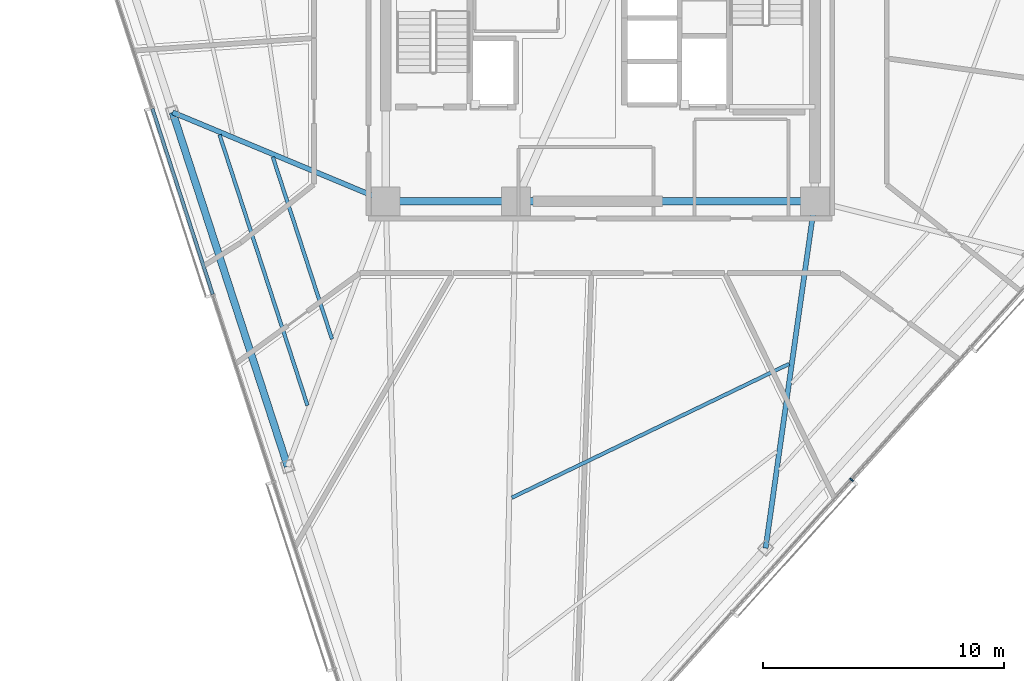
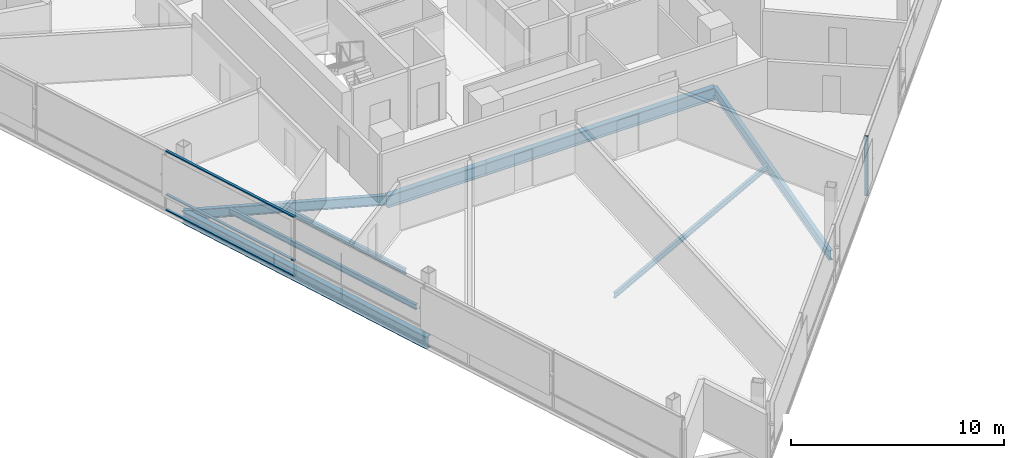
# One storey, part 3 of 17: 8 beams, 4 members, 2 elements without a shape of their own.
"""IFC4 building model written with IfcOpenShell, lengths in metres."""

from ifc_helpers import new_model, si_unit, direction, frame, origin, origin_2d, place, context, subcontext, project, spatial, rectangle, i_section, extrude, material, layer, layer_set, material_profile, profile_set, type_object, element, aggregate, save


model = new_model("IFC4")

# Units and contexts
model_context = context("Model", 3, precision=1e-05, world=origin(), true_north=direction((0.0, 1.0)))
body_context = subcontext(model_context, "Body", "Model", "MODEL_VIEW")
ifc_project = project(units=[si_unit("LENGTHUNIT", "METRE"), si_unit("AREAUNIT", "SQUARE_METRE"), si_unit("VOLUMEUNIT", "CUBIC_METRE"), si_unit("PLANEANGLEUNIT", "RADIAN"), si_unit("MASSUNIT", "GRAM", prefix="KILO")], contexts=[model_context])

# Site, building, storey
site_placement = place(None, origin())
site = spatial("IfcSite", under=ifc_project, at=site_placement, CompositionType="ELEMENT")
building_placement = place(site_placement, origin())
building = spatial("IfcBuilding", under=site, at=building_placement, Name="Tharavind Bronze Gate", CompositionType="ELEMENT")
storey_placement = place(building_placement, frame((0.0, 0.0, 214.85009765625)))
storey = spatial("IfcBuildingStorey", under=building, at=storey_placement, Name="L55", CompositionType="ELEMENT", Elevation=214.85009765625)

# Curtain wall, member
ifc_material_1 = material(Name="Anodised Bronze Aluminium", Category="aluminium")
ifc_layer = layer(ifc_material_1, 0.219970703125)
ifc_layer_set = layer_set([ifc_layer], Name="Anodised Bronze Aluminium")
curtain_wall_type = type_object("IfcCurtainWallType", Name="UNITISED CURTAIN WALL MID OFFICE", PredefinedType="USERDEFINED", material=ifc_layer_set)
curtain_wall_1_placement = place(storey_placement, origin())
curtain_wall_1 = element("IfcCurtainWall", 1, at=curtain_wall_1_placement, inside=storey, type_object=curtain_wall_type, Name="L55 unitised curtain wall mid office CW-L55-S2", ObjectType="UNITISED CURTAIN WALL", PredefinedType="USERDEFINED")
member_type_1 = type_object("IfcMemberType", Name="CURTAIN WALL BRONZE MULLION 65X180", PredefinedType="MULLION", material=ifc_material_1)
member_1_placement = place(storey_placement, frame((10.42138671875, -19.1552734375, 0.0), z_axis=(0.0, 0.0, 1.0), x_axis=(0.669130606359, 0.743144825477, 0.0)))
member_1 = element("IfcMember", 2, at=member_1_placement, type_object=member_type_1, Name="CW-L55-S2 mullion 4", PredefinedType="MULLION", context=body_context, shape_type="SweptSolid", body=[
    extrude(rectangle(XDim=0.06494140625, YDim=0.179931640625, at=origin_2d()), origin(), (0.0, 0.0, 1.0), 3.419921875),
])
aggregate(curtain_wall_1, [member_1])

# Curtain wall, members
curtain_wall_2_placement = place(storey_placement, origin())
curtain_wall_2 = element("IfcCurtainWall", 3, at=curtain_wall_2_placement, inside=storey, type_object=curtain_wall_type, Name="L55 unitised curtain wall mid office CW-L55-S1", ObjectType="UNITISED CURTAIN WALL", PredefinedType="USERDEFINED")
member_type_2 = type_object("IfcMemberType", Name="CURTAIN WALL BRONZE TRANSOM 65X140", PredefinedType="USERDEFINED", material=ifc_material_1)
member_2_placement = place(storey_placement, frame((-17.32958984375, -7.61083984375, 0.0), z_axis=(0.0, 0.0, 1.0), x_axis=(0.309016994375, -0.951056516295, 0.0)))
member_2 = element("IfcMember", 4, at=member_2_placement, type_object=member_type_2, Name="CW-L55-S1 transom TB3", ObjectType="TRANSOM", PredefinedType="USERDEFINED", context=body_context, shape_type="SweptSolid", body=[
    extrude(rectangle(XDim=8.102783203125, YDim=0.139892578125, at=origin_2d()), origin(), (0.0, 0.0, 1.0), 0.06494140625),
])
member_3_placement = place(storey_placement, frame((-17.32958984375, -7.61083984375, 0.867431640625), z_axis=(0.0, 0.0, 1.0), x_axis=(0.309016994375, -0.951056516295, 0.0)))
member_3 = element("IfcMember", 5, at=member_3_placement, type_object=member_type_2, Name="CW-L55-S1 transom TS3", ObjectType="TRANSOM", PredefinedType="USERDEFINED", context=body_context, shape_type="SweptSolid", body=[
    extrude(rectangle(XDim=8.102783203125, YDim=0.139892578125, at=origin_2d()), origin(), (0.0, 0.0, 1.0), 0.06494140625),
])
member_4_placement = place(storey_placement, frame((-17.32958984375, -7.61083984375, 3.35498046875), z_axis=(0.0, 0.0, 1.0), x_axis=(0.309016994375, -0.951056516295, 0.0)))
member_4 = element("IfcMember", 6, at=member_4_placement, type_object=member_type_2, Name="CW-L55-S1 transom TT3", ObjectType="TRANSOM", PredefinedType="USERDEFINED", context=body_context, shape_type="SweptSolid", body=[
    extrude(rectangle(XDim=8.102783203125, YDim=0.139892578125, at=origin_2d()), origin(), (0.0, 0.0, 1.0), 0.06494140625),
])
aggregate(curtain_wall_2, [member_2, member_3, member_4])

# Beams
ifc_material_2 = material(Name="Steel S355", Category="steel")
ifc_material_profile_1 = material_profile(ifc_material_2, i_section(OverallWidth=0.2099609375, OverallDepth=0.550048828125, WebThickness=0.010986328125, FlangeThickness=0.01708984375, at=origin_2d()), Name="IPE550")
ifc_profile_set_1 = profile_set([ifc_material_profile_1], Name="Steel S355")
beam_type_1 = type_object("IfcBeamType", Name="PRIMARY GIRDER IPE550", PredefinedType="USERDEFINED", material=ifc_profile_set_1)
beam_1_placement = place(storey_placement, frame((-17.74267578125, -3.91259765625, -0.455078125), z_axis=(0.922965305367, -0.38488315771, 0.0), x_axis=(0.38488315771, 0.922965305367, 0.0)))
element("IfcBeam", 7, at=beam_1_placement, inside=storey, type_object=beam_type_1, Name="L55 primary girder ipe550 BM-L55-RAD02", ObjectType="GIRDER", PredefinedType="USERDEFINED", context=body_context, shape_type="SweptSolid", body=[
    extrude(i_section(OverallWidth=0.2099609375, OverallDepth=0.550048828125, WebThickness=0.010986328125, FlangeThickness=0.01708984375, at=origin_2d()), origin(), (0.0, 0.0, 1.0), 9.580810546875),
])
beam_2_placement = place(storey_placement, frame((6.857421875, -21.992431640625, -0.455078125), z_axis=(0.140506642307, 0.990079735914, 0.0), x_axis=(-0.990079735914, 0.140506642307, 0.0)))
element("IfcBeam", 8, at=beam_2_placement, inside=storey, type_object=beam_type_1, Name="L55 primary girder ipe550 BM-L55-RAD06", ObjectType="GIRDER", PredefinedType="USERDEFINED", context=body_context, shape_type="SweptSolid", body=[
    extrude(i_section(OverallWidth=0.2099609375, OverallDepth=0.550048828125, WebThickness=0.010986328125, FlangeThickness=0.01708984375, at=origin_2d()), origin(), (0.0, 0.0, 1.0), 14.53662109375),
])
ifc_material_profile_2 = material_profile(ifc_material_2, i_section(OverallWidth=0.300048828125, OverallDepth=0.699951171875, WebThickness=0.01708984375, FlangeThickness=0.031982421875, at=origin_2d()), Name="HE700B")
ifc_profile_set_2 = profile_set([ifc_material_profile_2], Name="Steel S355")
beam_type_2 = type_object("IfcBeamType", Name="RING GIRDER HE700B", PredefinedType="USERDEFINED", material=ifc_profile_set_2)
beam_3_placement = place(storey_placement, frame((-8.89990234375, -7.60009765625, -0.530029296875), z_axis=(1.0, 0.0, 0.0), x_axis=(0.0, 1.0, 0.0)))
element("IfcBeam", 9, at=beam_3_placement, inside=storey, type_object=beam_type_2, Name="L55 ring girder he700b BM-L55-CR1", ObjectType="GIRDER", PredefinedType="USERDEFINED", context=body_context, shape_type="SweptSolid", body=[
    extrude(i_section(OverallWidth=0.300048828125, OverallDepth=0.699951171875, WebThickness=0.01708984375, FlangeThickness=0.031982421875, at=origin_2d()), origin(), (0.0, 0.0, 1.0), 5.39990234375),
])
beam_4_placement = place(storey_placement, frame((-3.5, -7.60009765625, -0.530029296875), z_axis=(1.0, 0.0, 0.0), x_axis=(0.0, 1.0, 0.0)))
element("IfcBeam", 10, at=beam_4_placement, inside=storey, type_object=beam_type_2, Name="L55 ring girder he700b BM-L55-CR2", ObjectType="GIRDER", PredefinedType="USERDEFINED", context=body_context, shape_type="SweptSolid", body=[
    extrude(i_section(OverallWidth=0.300048828125, OverallDepth=0.699951171875, WebThickness=0.01708984375, FlangeThickness=0.031982421875, at=origin_2d()), origin(), (0.0, 0.0, 1.0), 12.39990234375),
])
beam_5_placement = place(storey_placement, frame((-17.74267578125, -3.91259765625, -0.530029296875), z_axis=(0.309020307293, -0.951055439857, 0.0), x_axis=(0.951055439857, 0.309020307293, 0.0)))
element("IfcBeam", 11, at=beam_5_placement, inside=storey, type_object=beam_type_2, Name="L55 ring girder he700b BM-L55-PRG02", ObjectType="GIRDER", PredefinedType="USERDEFINED", context=body_context, shape_type="SweptSolid", body=[
    extrude(i_section(OverallWidth=0.300048828125, OverallDepth=0.699951171875, WebThickness=0.01708984375, FlangeThickness=0.031982421875, at=origin_2d()), origin(), (0.0, 0.0, 1.0), 15.4453125),
])
ifc_material_profile_3 = material_profile(ifc_material_2, i_section(OverallWidth=0.14990234375, OverallDepth=0.300048828125, WebThickness=0.007080078125, FlangeThickness=0.0107421875, at=origin_2d()), Name="IPE300")
ifc_profile_set_3 = profile_set([ifc_material_profile_3], Name="Steel S355")
beam_type_3 = type_object("IfcBeamType", Name="SECONDARY FLOOR JOIST IPE300", PredefinedType="JOIST", material=ifc_profile_set_3)
beam_6_placement = place(storey_placement, frame((-13.5869140625, -5.7626953125, -0.330078125), z_axis=(0.309039532328, -0.951049192975, 0.0), x_axis=(0.951049192975, 0.309039532328, 0.0)))
element("IfcBeam", 12, at=beam_6_placement, inside=storey, type_object=beam_type_3, Name="L55 secondary floor joist ipe300 BM-L55-JSTA02", PredefinedType="JOIST", context=body_context, shape_type="SweptSolid", body=[
    extrude(i_section(OverallWidth=0.14990234375, OverallDepth=0.300048828125, WebThickness=0.007080078125, FlangeThickness=0.0107421875, at=origin_2d()), origin(), (0.0, 0.0, 1.0), 7.947265625),
])
beam_7_placement = place(storey_placement, frame((-15.79736328125, -4.8408203125, -0.330078125), z_axis=(0.309005195331, -0.951060349956, 0.0), x_axis=(0.951060349956, 0.309005195331, 0.0)))
element("IfcBeam", 13, at=beam_7_placement, inside=storey, type_object=beam_type_3, Name="L55 secondary floor joist ipe300 BM-L55-JSTB02", PredefinedType="JOIST", context=body_context, shape_type="SweptSolid", body=[
    extrude(i_section(OverallWidth=0.14990234375, OverallDepth=0.300048828125, WebThickness=0.007080078125, FlangeThickness=0.0107421875, at=origin_2d()), origin(), (0.0, 0.0, 1.0), 11.80859375),
])
beam_8_placement = place(storey_placement, frame((-3.66943359375, -19.8984375, -0.330078125), z_axis=(0.900657941829, 0.434528792855, 0.0), x_axis=(-0.434528792855, 0.900657941829, 0.0)))
element("IfcBeam", 14, at=beam_8_placement, inside=storey, type_object=beam_type_3, Name="L55 secondary floor joist ipe300 BM-L55-JSTA05", PredefinedType="JOIST", context=body_context, shape_type="SweptSolid", body=[
    extrude(i_section(OverallWidth=0.14990234375, OverallDepth=0.300048828125, WebThickness=0.007080078125, FlangeThickness=0.0107421875, at=origin_2d()), origin(), (0.0, 0.0, 1.0), 12.77099609375),
])

save(model, "model.ifc")
